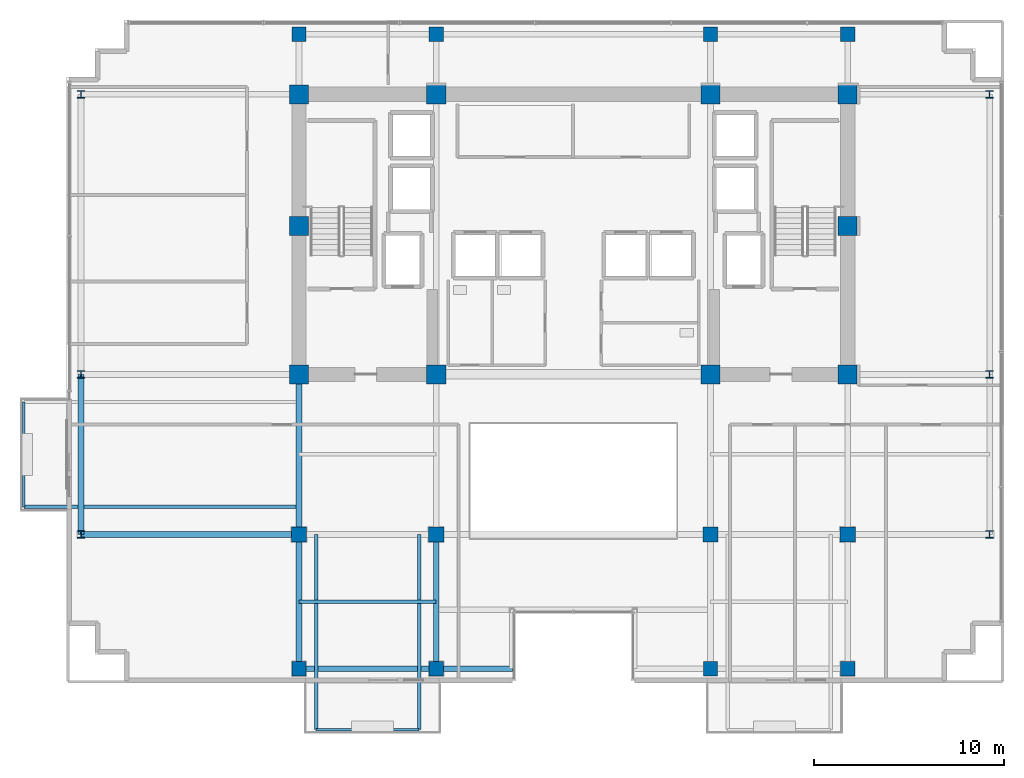
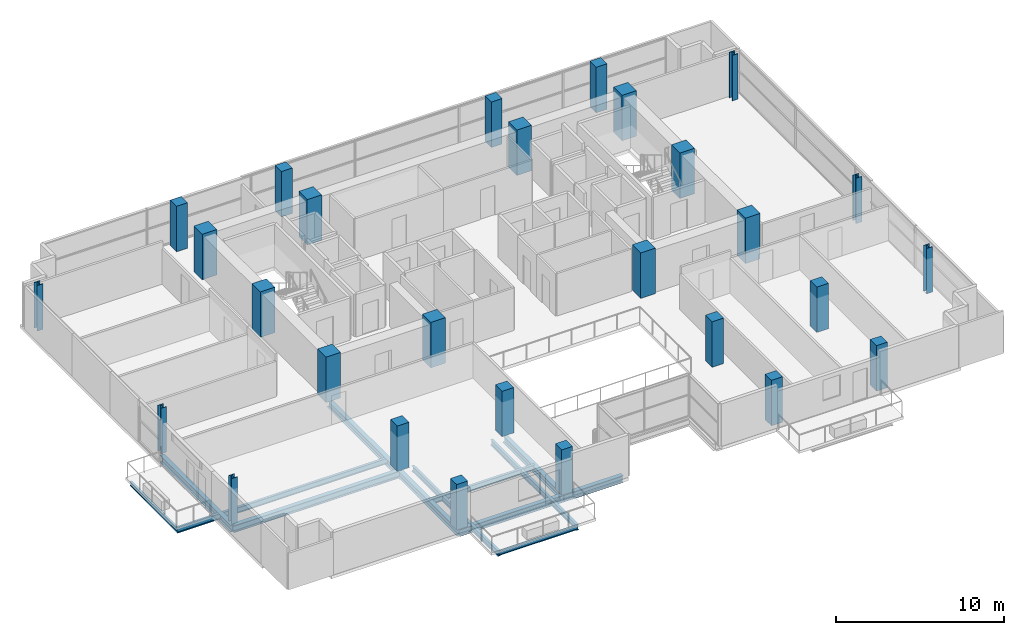
# One storey, part 1 of 21: 28 columns, 13 beams.
"""IFC4 building model written with IfcOpenShell, lengths in metres."""

import ifcopenshell
import ifcopenshell.guid

model = None  # the IFC model being written
_history = None  # IfcOwnerHistory: only IFC2X3 demands one
_inside = {}  # id of a spatial element -> (the spatial element, [elements in it])
_under = {}  # id of a project, library or spatial element -> (it, [spatial elements below it])
_declared = {}  # id of a project -> (the project, [libraries it declares])
_typed = {}  # id of a type object -> (the type object, [elements of that type])
_made_of = {}  # id of a material, layer set ... -> (it, [elements and type objects made of it])


def new_model(schema):
    """Start an empty IFC model of exactly this schema.

    Asked for "IFC4X3", IfcOpenShell would pick the latest addendum, in which some entities
    have other attributes; the version numbers below select the first issue.
    IFC2X3 requires an IfcOwnerHistory on every rooted entity: one is made here for all.
    """
    global model, _history
    if schema == "IFC4X3":
        model = ifcopenshell.file(schema_version=(4, 3, 0, 0))
    else:
        model = ifcopenshell.file(schema=schema)
    _inside.clear()
    _under.clear()
    _declared.clear()
    _typed.clear()
    _made_of.clear()
    _history = None
    if model.schema == "IFC2X3":
        org = make("IfcOrganization", Name="unknown")
        user = make(
            "IfcPersonAndOrganization",
            ThePerson=make("IfcPerson", FamilyName="unknown"),
            TheOrganization=org,
        )
        app = make(
            "IfcApplication",
            ApplicationDeveloper=org,
            Version="unknown",
            ApplicationFullName="unknown",
            ApplicationIdentifier="unknown",
        )
        _history = make(
            "IfcOwnerHistory",
            OwningUser=user,
            OwningApplication=app,
            ChangeAction="ADDED",
            CreationDate=0,
        )
    return model


def make(cls, **values):
    """One entity of the class cls with the attributes given. An attribute that is None is left unset."""
    return model.create_entity(
        cls, **{name: value for name, value in values.items() if value is not None}
    )


def rooted(cls, **values):
    """An entity with a GlobalId (a new one), such as an element, a storey or a relation."""
    return make(cls, GlobalId=ifcopenshell.guid.new(), OwnerHistory=_history, **values)


def si_unit(unit_type, name, prefix=None):
    """IfcSIUnit, for example si_unit("LENGTHUNIT", "METRE", prefix="MILLI")."""
    return make("IfcSIUnit", UnitType=unit_type, Prefix=prefix, Name=name)


def assignment(units):
    """IfcUnitAssignment: the units of a project."""
    return None if units is None else make("IfcUnitAssignment", Units=units)


def point(xyz):
    """IfcCartesianPoint."""
    return None if xyz is None else make("IfcCartesianPoint", Coordinates=xyz)


def direction(xyz):
    """IfcDirection."""
    return None if xyz is None else make("IfcDirection", DirectionRatios=xyz)


def frame(location, z_axis=None, x_axis=None):
    """IfcAxis2Placement3D, a coordinate frame: its origin and axes. An axis left out is left unset."""
    return make(
        "IfcAxis2Placement3D",
        Location=point(location),
        Axis=direction(z_axis),
        RefDirection=direction(x_axis),
    )


def frame_2d(location, x_axis=None):
    """IfcAxis2Placement2D, a coordinate frame in the plane: its origin and x axis."""
    return make(
        "IfcAxis2Placement2D", Location=point(location), RefDirection=direction(x_axis)
    )


def origin():
    """The frame at (0, 0, 0) with its axes left unset."""
    return frame((0.0, 0.0, 0.0))


def origin_2d():
    """The frame at (0, 0) in the plane with its x axis left unset."""
    return frame_2d((0.0, 0.0))


def place(relative_to, where):
    """IfcLocalPlacement: puts the frame where relative to a parent placement (None: the world)."""
    return make(
        "IfcLocalPlacement", PlacementRelTo=relative_to, RelativePlacement=where
    )


def context(
    kind, dimensions, precision=None, world=None, true_north=None, identifier=None
):
    """IfcGeometricRepresentationContext, for example the 3D "Model" context."""
    return make(
        "IfcGeometricRepresentationContext",
        ContextIdentifier=identifier,
        ContextType=kind,
        CoordinateSpaceDimension=dimensions,
        Precision=precision,
        WorldCoordinateSystem=world,
        TrueNorth=true_north,
    )


def subcontext(parent, identifier, kind, view, scale=None):
    """IfcGeometricRepresentationSubContext, for example "Body" below "Model"."""
    return make(
        "IfcGeometricRepresentationSubContext",
        ContextIdentifier=identifier,
        ContextType=kind,
        ParentContext=parent,
        TargetScale=scale,
        TargetView=view,
    )


def project(units=None, contexts=None):
    """IfcProject with its units and contexts."""
    return rooted(
        "IfcProject",
        Name="project",
        RepresentationContexts=contexts,
        UnitsInContext=assignment(units),
    )


def spatial(cls, under=None, at=None, **own):
    """A site, building, storey or space (cls), placed at a placement, below another one or the project."""
    s = rooted(cls, ObjectPlacement=at, **own)
    if under is not None:
        _under.setdefault(under.id(), (under, []))[1].append(s)
    return s


def profile(cls, at=None, kind="AREA", **sizes):
    """A parametric profile (cls). Its sizes go by their IFC names, for example OverallWidth=200.0."""
    return make(cls, ProfileType=kind, Position=at, **sizes)


def rectangle(**sizes):
    """IfcRectangleProfileDef."""
    return profile("IfcRectangleProfileDef", **sizes)


def i_section(**sizes):
    """IfcIShapeProfileDef."""
    return profile("IfcIShapeProfileDef", **sizes)


def extrude(swept, where, along, depth):
    """IfcExtrudedAreaSolid: the profile swept, set in the frame where, extruded along a direction by depth."""
    return make(
        "IfcExtrudedAreaSolid",
        SweptArea=swept,
        Position=where,
        ExtrudedDirection=direction(along),
        Depth=depth,
    )


def shape(context_of_items, identifier, shape_type, items):
    """IfcShapeRepresentation: the items that make up one representation, for example the "Body"."""
    return make(
        "IfcShapeRepresentation",
        ContextOfItems=context_of_items,
        RepresentationIdentifier=identifier,
        RepresentationType=shape_type,
        Items=items,
    )


def material(Name=None, Category=None):
    """IfcMaterial."""
    return make("IfcMaterial", Name=Name, Category=Category)


def material_profile(
    of_material, cross_section, Name=None, Category=None, Priority=None
):
    """IfcMaterialProfile: a cross section and its material."""
    return make(
        "IfcMaterialProfile",
        Name=Name,
        Material=of_material,
        Profile=cross_section,
        Priority=Priority,
        Category=Category,
    )


def profile_set(profiles, Name=None, composite=None):
    """IfcMaterialProfileSet."""
    return make(
        "IfcMaterialProfileSet",
        Name=Name,
        MaterialProfiles=profiles,
        CompositeProfile=composite,
    )


def made_of(thing, what):
    """Note that an element or type object is made of a material, layer set ...; save() writes the relation."""
    if what is not None:
        _made_of.setdefault(what.id(), (what, []))[1].append(thing)
    return thing


def type_object(cls, material=None, **own):
    """A type object (cls), such as IfcWallType, which elements share."""
    return made_of(rooted(cls, **own), material)


def element(
    cls,
    number,
    at=None,
    inside=None,
    cuts=None,
    type_object=None,
    material=None,
    context=None,
    identifier="Body",
    shape_type=None,
    held_by="IfcProductDefinitionShape",
    body=None,
    shapes=None,
    **own,
):
    """One element of the class cls, such as IfcWall. Its Tag is "e" and its number.

    at: its placement. inside: the storey or other place that contains it. cuts: it is an
    opening in that element (IfcRelVoidsElement). A single representation is given by context,
    identifier, shape_type and body (its items); several are given by shapes. held_by: the class
    of the entity that holds the representations. save() writes the other relations.
    """
    e = rooted(cls, Tag="e%d" % number, ObjectPlacement=at, **own)
    if body is not None:
        shapes = [shape(context, identifier, shape_type, body)]
    if shapes is not None:
        e.Representation = make(held_by, Representations=shapes)
    if inside is not None:
        _inside.setdefault(inside.id(), (inside, []))[1].append(e)
    if cuts is not None:
        rooted(
            "IfcRelVoidsElement", RelatingBuildingElement=cuts, RelatedOpeningElement=e
        )
    if type_object is not None:
        _typed.setdefault(type_object.id(), (type_object, []))[1].append(e)
    return made_of(e, material)


def aggregate(whole, parts):
    """IfcRelAggregates: a whole, such as a stair, and the parts it consists of."""
    return rooted("IfcRelAggregates", RelatingObject=whole, RelatedObjects=parts)


def save(model, path):
    """Write the relations noted so far, then the file.

    IfcRelAggregates (storeys below a building ...), IfcRelContainedInSpatialStructure (elements
    in a storey), IfcRelDefinesByType, IfcRelAssociatesMaterial and IfcRelDeclares: one each for
    every whole, place, type object, material and project.
    """
    for whole, parts in _under.values():
        aggregate(whole, parts)
    for where, things in _inside.values():
        rooted(
            "IfcRelContainedInSpatialStructure",
            RelatedElements=things,
            RelatingStructure=where,
        )
    for kind, things in _typed.values():
        rooted("IfcRelDefinesByType", RelatedObjects=things, RelatingType=kind)
    for what, things in _made_of.values():
        rooted("IfcRelAssociatesMaterial", RelatedObjects=things, RelatingMaterial=what)
    for by, libraries in _declared.values():
        rooted("IfcRelDeclares", RelatingContext=by, RelatedDefinitions=libraries)
    model.write(path)


model = new_model("IFC4")

# Units and contexts
model_context = context("Model", 3, precision=1e-05, world=origin(), true_north=direction((0.0, 1.0)))
body_context = subcontext(model_context, "Body", "Model", "MODEL_VIEW")
ifc_project = project(units=[si_unit("LENGTHUNIT", "METRE"), si_unit("AREAUNIT", "SQUARE_METRE"), si_unit("VOLUMEUNIT", "CUBIC_METRE"), si_unit("PLANEANGLEUNIT", "RADIAN"), si_unit("MASSUNIT", "GRAM", prefix="KILO")], contexts=[model_context])

# Site, building, storey
site_placement = place(None, origin())
site = spatial("IfcSite", under=ifc_project, at=site_placement, CompositionType="ELEMENT")
building_placement = place(site_placement, origin())
building = spatial("IfcBuilding", under=site, at=building_placement, Name="Zarnakvel Exchange Tower", CompositionType="ELEMENT")
storey_placement = place(building_placement, frame((0.0, 0.0, 159.39990234375)))
storey = spatial("IfcBuildingStorey", under=building, at=storey_placement, Name="L44", CompositionType="ELEMENT", Elevation=159.39990234375)

# Columns
ifc_material_1 = material(Name="Concrete C60/75", Category="concrete")
ifc_material_profile_1 = material_profile(ifc_material_1, rectangle(XDim=1.0, YDim=1.0, at=origin_2d()))
ifc_profile_set_1 = profile_set([ifc_material_profile_1], Name="Concrete C60/75")
column_type_1 = type_object("IfcColumnType", Name="CC-02", PredefinedType="COLUMN", material=ifc_profile_set_1)
for number, where, z_axis, x_axis, name in (
    (1, (-14.39990234375, -1.199951171875, 0.0), (0.0, 0.0, 1.0), (1.0, 0.0, 0.0), "L44 Column C-4D (CC-02)"),
    (2, (-7.199951171875, -1.199951171875, 0.0), (0.0, 0.0, 1.0), (1.0, 0.0, 0.0), "L44 Column C-5D (CC-02)"),
    (3, (7.199951171875, -1.199951171875, 0.0), (0.0, 0.0, 1.0), (1.0, 0.0, 0.0), "L44 Column C-8D (CC-02)"),
    (4, (14.39990234375, -1.199951171875, 0.0), (0.0, 0.0, 1.0), (1.0, 0.0, 0.0), "L44 Column C-9D (CC-02)"),
    (5, (-14.39990234375, 6.60009765625, 0.0), (0.0, 0.0, 1.0), (1.0, 0.0, 0.0), "L44 Column C-4E (CC-02)"),
    (6, (14.39990234375, 6.60009765625, 0.0), (0.0, 0.0, 1.0), (1.0, 0.0, 0.0), "L44 Column C-9E (CC-02)"),
    (7, (-14.39990234375, 13.5, 0.0), (0.0, 0.0, 1.0), (1.0, 0.0, 0.0), "L44 Column C-4F (CC-02)"),
    (8, (-7.199951171875, 13.5, 0.0), (0.0, 0.0, 1.0), (1.0, 0.0, 0.0), "L44 Column C-5F (CC-02)"),
    (9, (7.199951171875, 13.5, 0.0), (0.0, 0.0, 1.0), (1.0, 0.0, 0.0), "L44 Column C-8F (CC-02)"),
    (10, (14.39990234375, 13.5, 0.0), (0.0, 0.0, 1.0), (1.0, 0.0, 0.0), "L44 Column C-9F (CC-02)"),
):
    element("IfcColumn", number, at=place(storey_placement, frame(where, z_axis=z_axis, x_axis=x_axis)), inside=storey, type_object=column_type_1, Name=name, PredefinedType="COLUMN", context=body_context, shape_type="SweptSolid", body=[
        extrude(rectangle(XDim=1.0, YDim=1.0, at=origin_2d()), origin(), (0.0, 0.0, 1.0), 3.300048828125),
    ])
ifc_material_2 = material(Name="Steel S355", Category="steel")
ifc_material_profile_2 = material_profile(ifc_material_2, i_section(OverallWidth=0.39892578125, OverallDepth=0.3935546875, WebThickness=0.022705078125, FlangeThickness=0.03662109375, FilletRadius=0.01513671875, at=origin_2d()))
ifc_profile_set_2 = profile_set([ifc_material_profile_2], Name="Steel S355")
column_type_2 = type_object("IfcColumnType", Name="SC-04", PredefinedType="COLUMN", material=ifc_profile_set_2)
for number, where, z_axis, x_axis, name in (
    (11, (-25.85009765625, -9.60009765625, 0.0), (0.0, 0.0, 1.0), (1.0, 0.0, 0.0), "L44 Column TW-C (SC-04)"),
    (12, (21.85009765625, -9.60009765625, 0.0), (0.0, 0.0, 1.0), (1.0, 0.0, 0.0), "L44 Column TE-C (SC-04)"),
    (13, (-25.85009765625, -1.199951171875, 0.0), (0.0, 0.0, 1.0), (1.0, 0.0, 0.0), "L44 Column TW-D (SC-04)"),
    (14, (21.85009765625, -1.199951171875, 0.0), (0.0, 0.0, 1.0), (1.0, 0.0, 0.0), "L44 Column TE-D (SC-04)"),
    (15, (-25.85009765625, 13.5, 0.0), (0.0, 0.0, 1.0), (1.0, 0.0, 0.0), "L44 Column TW-F (SC-04)"),
    (16, (21.85009765625, 13.5, 0.0), (0.0, 0.0, 1.0), (1.0, 0.0, 0.0), "L44 Column TE-F (SC-04)"),
):
    element("IfcColumn", number, at=place(storey_placement, frame(where, z_axis=z_axis, x_axis=x_axis)), inside=storey, type_object=column_type_2, Name=name, PredefinedType="COLUMN", context=body_context, shape_type="SweptSolid", body=[
        extrude(i_section(OverallWidth=0.39892578125, OverallDepth=0.3935546875, WebThickness=0.022705078125, FlangeThickness=0.03662109375, FilletRadius=0.01513671875, at=origin_2d()), origin(), (0.0, 0.0, 1.0), 3.300048828125),
    ])
ifc_material_profile_3 = material_profile(ifc_material_1, rectangle(XDim=0.800048828125, YDim=0.800048828125, at=origin_2d()))
ifc_profile_set_3 = profile_set([ifc_material_profile_3], Name="Concrete C60/75")
column_type_3 = type_object("IfcColumnType", Name="TC-03", PredefinedType="COLUMN", material=ifc_profile_set_3)
for number, where, z_axis, x_axis, name in (
    (17, (-14.39990234375, -9.60009765625, 0.0), (0.0, 0.0, 1.0), (1.0, 0.0, 0.0), "L44 Column T-4C (TC-03)"),
    (18, (-7.199951171875, -9.60009765625, 0.0), (0.0, 0.0, 1.0), (1.0, 0.0, 0.0), "L44 Column T-5C (TC-03)"),
    (19, (7.199951171875, -9.60009765625, 0.0), (0.0, 0.0, 1.0), (1.0, 0.0, 0.0), "L44 Column T-8C (TC-03)"),
    (20, (14.39990234375, -9.60009765625, 0.0), (0.0, 0.0, 1.0), (1.0, 0.0, 0.0), "L44 Column T-9C (TC-03)"),
):
    element("IfcColumn", number, at=place(storey_placement, frame(where, z_axis=z_axis, x_axis=x_axis)), inside=storey, type_object=column_type_3, Name=name, PredefinedType="COLUMN", context=body_context, shape_type="SweptSolid", body=[
        extrude(rectangle(XDim=0.800048828125, YDim=0.800048828125, at=origin_2d()), origin(), (0.0, 0.0, 1.0), 3.300048828125),
    ])
ifc_material_3 = material(Name="Concrete C50/60", Category="concrete")
ifc_material_profile_4 = material_profile(ifc_material_3, rectangle(XDim=0.75, YDim=0.75, at=origin_2d()))
ifc_profile_set_4 = profile_set([ifc_material_profile_4], Name="Concrete C50/60")
column_type_4 = type_object("IfcColumnType", Name="TC-04", PredefinedType="COLUMN", material=ifc_profile_set_4)
for number, where, z_axis, x_axis, name in (
    (21, (-14.39990234375, -16.64990234375, 0.0), (0.0, 0.0, 1.0), (1.0, 0.0, 0.0), "L44 Column TS-4 (TC-04)"),
    (22, (-14.39990234375, 16.64990234375, 0.0), (0.0, 0.0, 1.0), (1.0, 0.0, 0.0), "L44 Column TN-4 (TC-04)"),
    (23, (-7.199951171875, -16.64990234375, 0.0), (0.0, 0.0, 1.0), (1.0, 0.0, 0.0), "L44 Column TS-5 (TC-04)"),
    (24, (-7.199951171875, 16.64990234375, 0.0), (0.0, 0.0, 1.0), (1.0, 0.0, 0.0), "L44 Column TN-5 (TC-04)"),
    (25, (7.199951171875, -16.64990234375, 0.0), (0.0, 0.0, 1.0), (1.0, 0.0, 0.0), "L44 Column TS-8 (TC-04)"),
    (26, (7.199951171875, 16.64990234375, 0.0), (0.0, 0.0, 1.0), (1.0, 0.0, 0.0), "L44 Column TN-8 (TC-04)"),
    (27, (14.39990234375, -16.64990234375, 0.0), (0.0, 0.0, 1.0), (1.0, 0.0, 0.0), "L44 Column TS-9 (TC-04)"),
    (28, (14.39990234375, 16.64990234375, 0.0), (0.0, 0.0, 1.0), (1.0, 0.0, 0.0), "L44 Column TN-9 (TC-04)"),
):
    element("IfcColumn", number, at=place(storey_placement, frame(where, z_axis=z_axis, x_axis=x_axis)), inside=storey, type_object=column_type_4, Name=name, PredefinedType="COLUMN", context=body_context, shape_type="SweptSolid", body=[
        extrude(rectangle(XDim=0.75, YDim=0.75, at=origin_2d()), origin(), (0.0, 0.0, 1.0), 3.300048828125),
    ])

# Beams
ifc_material_profile_5 = material_profile(ifc_material_2, i_section(OverallWidth=0.179931640625, OverallDepth=0.39990234375, WebThickness=0.008544921875, FlangeThickness=0.013427734375, FilletRadius=0.02099609375, at=origin_2d()))
ifc_profile_set_5 = profile_set([ifc_material_profile_5], Name="Steel S355")
beam_type_1 = type_object("IfcBeamType", Name="B-06", PredefinedType="JOIST", material=ifc_profile_set_5)
beam_1_placement = place(storey_placement, frame((-14.39990234375, -13.125, -0.4248046875), z_axis=(1.0, 0.0, 0.0), x_axis=(0.0, 1.0, 0.0)))
element("IfcBeam", 29, at=beam_1_placement, inside=storey, type_object=beam_type_1, Name="L44 Composite Floor Secondary Joist", PredefinedType="JOIST", context=body_context, shape_type="SweptSolid", body=[
    extrude(i_section(OverallWidth=0.179931640625, OverallDepth=0.39990234375, WebThickness=0.008544921875, FlangeThickness=0.013427734375, FilletRadius=0.02099609375, at=origin_2d()), origin(), (0.0, 0.0, 1.0), 7.199951171875),
])
for number, where, z_axis, x_axis, name in (
    (30, (-13.5, -9.60009765625, -0.4248046875), (0.0, -1.0, 0.0), (1.0, 0.0, 0.0), "L44 Continuous Back-Spanned Balcony Beam W"),
    (31, (-8.10009765625, -9.60009765625, -0.4248046875), (0.0, -1.0, 0.0), (1.0, 0.0, 0.0), "L44 Continuous Back-Spanned Balcony Beam E"),
):
    element("IfcBeam", number, at=place(storey_placement, frame(where, z_axis=z_axis, x_axis=x_axis)), inside=storey, type_object=beam_type_1, Name=name, PredefinedType="JOIST", context=body_context, shape_type="SweptSolid", body=[
        extrude(i_section(OverallWidth=0.179931640625, OverallDepth=0.39990234375, WebThickness=0.008544921875, FlangeThickness=0.013427734375, FilletRadius=0.02099609375, at=origin_2d()), origin(), (0.0, 0.0, 1.0), 10.25),
    ])
beam_2_placement = place(storey_placement, frame((-14.39990234375, -8.14990234375, -0.4248046875), z_axis=(-1.0, 0.0, 0.0), x_axis=(0.0, -1.0, 0.0)))
element("IfcBeam", 32, at=beam_2_placement, inside=storey, type_object=beam_type_1, Name="L44 Continuous West Loggia Beam S", PredefinedType="JOIST", context=body_context, shape_type="SweptSolid", body=[
    extrude(i_section(OverallWidth=0.179931640625, OverallDepth=0.39990234375, WebThickness=0.008544921875, FlangeThickness=0.013427734375, FilletRadius=0.02099609375, at=origin_2d()), origin(), (0.0, 0.0, 1.0), 14.4501953125),
])
ifc_material_profile_6 = material_profile(ifc_material_2, i_section(OverallWidth=0.14990234375, OverallDepth=0.300048828125, WebThickness=0.007080078125, FlangeThickness=0.0107421875, FilletRadius=0.014892578125, at=origin_2d()))
ifc_profile_set_6 = profile_set([ifc_material_profile_6], Name="Steel S355")
beam_type_2 = type_object("IfcBeamType", Name="B-08", PredefinedType="JOIST", material=ifc_profile_set_6)
beam_3_placement = place(storey_placement, frame((-13.5, -19.85009765625, -0.375), z_axis=(1.0, 0.0, 0.0), x_axis=(0.0, 1.0, 0.0)))
element("IfcBeam", 33, at=beam_3_placement, inside=storey, type_object=beam_type_2, Name="L44 Balcony Edge Beam", PredefinedType="JOIST", context=body_context, shape_type="SweptSolid", body=[
    extrude(i_section(OverallWidth=0.14990234375, OverallDepth=0.300048828125, WebThickness=0.007080078125, FlangeThickness=0.0107421875, FilletRadius=0.014892578125, at=origin_2d()), origin(), (0.0, 0.0, 1.0), 5.39990234375),
])
beam_4_placement = place(storey_placement, frame((-28.85009765625, -8.14990234375, -0.375), z_axis=(0.0, 1.0, 0.0), x_axis=(-1.0, 0.0, 0.0)))
element("IfcBeam", 34, at=beam_4_placement, inside=storey, type_object=beam_type_2, Name="L44 West Loggia Edge Beam", PredefinedType="JOIST", context=body_context, shape_type="SweptSolid", body=[
    extrude(i_section(OverallWidth=0.14990234375, OverallDepth=0.300048828125, WebThickness=0.007080078125, FlangeThickness=0.0107421875, FilletRadius=0.014892578125, at=origin_2d()), origin(), (0.0, 0.0, 1.0), 5.5),
])
ifc_material_profile_7 = material_profile(ifc_material_2, i_section(OverallWidth=0.300048828125, OverallDepth=0.5, WebThickness=0.014404296875, FlangeThickness=0.028076171875, FilletRadius=0.027099609375, at=origin_2d()))
ifc_profile_set_7 = profile_set([ifc_material_profile_7], Name="Steel S355")
beam_type_3 = type_object("IfcBeamType", Name="G-06", PredefinedType="BEAM", material=ifc_profile_set_7)
beam_5_placement = place(storey_placement, frame((-25.85009765625, -9.60009765625, -0.474853515625), z_axis=(1.0, 0.0, 0.0), x_axis=(0.0, 1.0, 0.0)))
element("IfcBeam", 35, at=beam_5_placement, inside=storey, type_object=beam_type_3, Name="L44 Tower E-W Frame Beam", PredefinedType="BEAM", context=body_context, shape_type="SweptSolid", body=[
    extrude(i_section(OverallWidth=0.300048828125, OverallDepth=0.5, WebThickness=0.014404296875, FlangeThickness=0.028076171875, FilletRadius=0.027099609375, at=origin_2d()), origin(), (0.0, 0.0, 1.0), 11.4501953125),
])
beam_6_placement = place(storey_placement, frame((-14.39990234375, -16.64990234375, -0.474853515625), z_axis=(0.0, 1.0, 0.0), x_axis=(-1.0, 0.0, 0.0)))
element("IfcBeam", 36, at=beam_6_placement, inside=storey, type_object=beam_type_3, Name="L44 Tower N-S Frame Beam", PredefinedType="BEAM", context=body_context, shape_type="SweptSolid", body=[
    extrude(i_section(OverallWidth=0.300048828125, OverallDepth=0.5, WebThickness=0.014404296875, FlangeThickness=0.028076171875, FilletRadius=0.027099609375, at=origin_2d()), origin(), (0.0, 0.0, 1.0), 7.0498046875),
])
beam_7_placement = place(storey_placement, frame((-14.39990234375, -9.60009765625, -0.474853515625), z_axis=(0.0, 1.0, 0.0), x_axis=(-1.0, 0.0, 0.0)))
element("IfcBeam", 37, at=beam_7_placement, inside=storey, type_object=beam_type_3, Name="L44 Tower N-S Frame Beam", PredefinedType="BEAM", context=body_context, shape_type="SweptSolid", body=[
    extrude(i_section(OverallWidth=0.300048828125, OverallDepth=0.5, WebThickness=0.014404296875, FlangeThickness=0.028076171875, FilletRadius=0.027099609375, at=origin_2d()), origin(), (0.0, 0.0, 1.0), 8.400146484375),
])
beam_8_placement = place(storey_placement, frame((-7.199951171875, -16.64990234375, -0.474853515625), z_axis=(0.0, 1.0, 0.0), x_axis=(-1.0, 0.0, 0.0)))
element("IfcBeam", 38, at=beam_8_placement, inside=storey, type_object=beam_type_3, Name="L44 Tower N-S Frame Beam", PredefinedType="BEAM", context=body_context, shape_type="SweptSolid", body=[
    extrude(i_section(OverallWidth=0.300048828125, OverallDepth=0.5, WebThickness=0.014404296875, FlangeThickness=0.028076171875, FilletRadius=0.027099609375, at=origin_2d()), origin(), (0.0, 0.0, 1.0), 7.0498046875),
])
ifc_material_profile_8 = material_profile(ifc_material_2, i_section(OverallWidth=0.300048828125, OverallDepth=0.5, WebThickness=0.014404296875, FlangeThickness=0.028076171875, FilletRadius=0.027099609375, at=origin_2d()))
ifc_profile_set_8 = profile_set([ifc_material_profile_8], Name="Steel S355")
beam_type_4 = type_object("IfcBeamType", Name="SP-02", PredefinedType="SPANDREL", material=ifc_profile_set_8)
beam_9_placement = place(storey_placement, frame((-14.39990234375, -16.64990234375, -0.474853515625), z_axis=(1.0, 0.0, 0.0), x_axis=(0.0, 1.0, 0.0)))
element("IfcBeam", 39, at=beam_9_placement, inside=storey, type_object=beam_type_4, Name="L44 Tower E-W Frame Beam", PredefinedType="SPANDREL", context=body_context, shape_type="SweptSolid", body=[
    extrude(i_section(OverallWidth=0.300048828125, OverallDepth=0.5, WebThickness=0.014404296875, FlangeThickness=0.028076171875, FilletRadius=0.027099609375, at=origin_2d()), origin(), (0.0, 0.0, 1.0), 7.199951171875),
])
beam_10_placement = place(storey_placement, frame((-7.199951171875, -16.64990234375, -0.474853515625), z_axis=(1.0, 0.0, 0.0), x_axis=(0.0, 1.0, 0.0)))
element("IfcBeam", 40, at=beam_10_placement, inside=storey, type_object=beam_type_4, Name="L44 South Slot West Jamb Spandrel", PredefinedType="SPANDREL", context=body_context, shape_type="SweptSolid", body=[
    extrude(i_section(OverallWidth=0.300048828125, OverallDepth=0.5, WebThickness=0.014404296875, FlangeThickness=0.028076171875, FilletRadius=0.027099609375, at=origin_2d()), origin(), (0.0, 0.0, 1.0), 4.0),
])
beam_11_placement = place(storey_placement, frame((-25.85009765625, -9.60009765625, -0.474853515625), z_axis=(0.0, 1.0, 0.0), x_axis=(-1.0, 0.0, 0.0)))
element("IfcBeam", 41, at=beam_11_placement, inside=storey, type_object=beam_type_4, Name="L44 Tower N-S Frame Beam", PredefinedType="SPANDREL", context=body_context, shape_type="SweptSolid", body=[
    extrude(i_section(OverallWidth=0.300048828125, OverallDepth=0.5, WebThickness=0.014404296875, FlangeThickness=0.028076171875, FilletRadius=0.027099609375, at=origin_2d()), origin(), (0.0, 0.0, 1.0), 8.400146484375),
])

save(model, "model.ifc")
